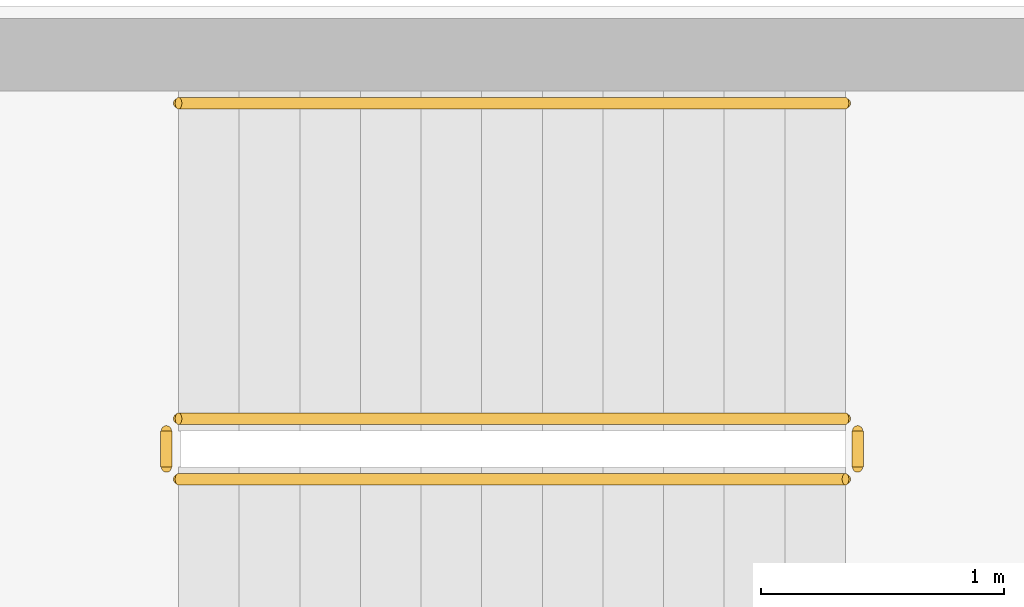
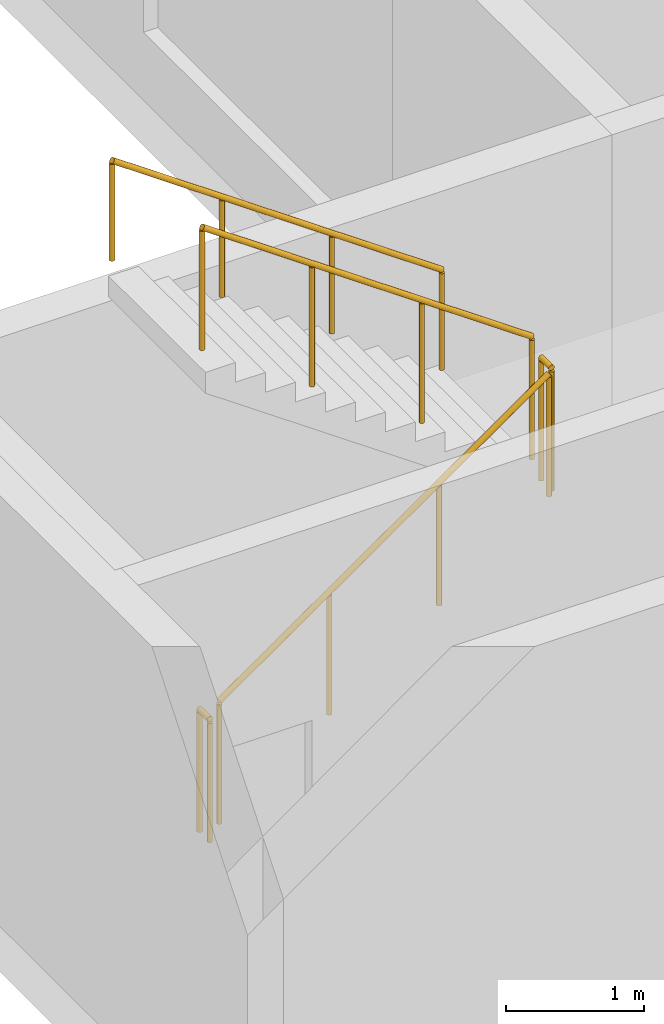
# One storey, part 13 of 14: 5 railings.
"""IFC4 building model written with IfcOpenShell, lengths in metres."""

import ifcopenshell
import ifcopenshell.guid

model = None  # the IFC model being written
_history = None  # IfcOwnerHistory: only IFC2X3 demands one
_inside = {}  # id of a spatial element -> (the spatial element, [elements in it])
_under = {}  # id of a project, library or spatial element -> (it, [spatial elements below it])
_declared = {}  # id of a project -> (the project, [libraries it declares])
_typed = {}  # id of a type object -> (the type object, [elements of that type])
_made_of = {}  # id of a material, layer set ... -> (it, [elements and type objects made of it])


def new_model(schema):
    """Start an empty IFC model of exactly this schema.

    Asked for "IFC4X3", IfcOpenShell would pick the latest addendum, in which some entities
    have other attributes; the version numbers below select the first issue.
    IFC2X3 requires an IfcOwnerHistory on every rooted entity: one is made here for all.
    """
    global model, _history
    if schema == "IFC4X3":
        model = ifcopenshell.file(schema_version=(4, 3, 0, 0))
    else:
        model = ifcopenshell.file(schema=schema)
    _inside.clear()
    _under.clear()
    _declared.clear()
    _typed.clear()
    _made_of.clear()
    _history = None
    if model.schema == "IFC2X3":
        org = make("IfcOrganization", Name="unknown")
        user = make(
            "IfcPersonAndOrganization",
            ThePerson=make("IfcPerson", FamilyName="unknown"),
            TheOrganization=org,
        )
        app = make(
            "IfcApplication",
            ApplicationDeveloper=org,
            Version="unknown",
            ApplicationFullName="unknown",
            ApplicationIdentifier="unknown",
        )
        _history = make(
            "IfcOwnerHistory",
            OwningUser=user,
            OwningApplication=app,
            ChangeAction="ADDED",
            CreationDate=0,
        )
    return model


def make(cls, **values):
    """One entity of the class cls with the attributes given. An attribute that is None is left unset."""
    return model.create_entity(
        cls, **{name: value for name, value in values.items() if value is not None}
    )


def rooted(cls, **values):
    """An entity with a GlobalId (a new one), such as an element, a storey or a relation."""
    return make(cls, GlobalId=ifcopenshell.guid.new(), OwnerHistory=_history, **values)


def si_unit(unit_type, name, prefix=None):
    """IfcSIUnit, for example si_unit("LENGTHUNIT", "METRE", prefix="MILLI")."""
    return make("IfcSIUnit", UnitType=unit_type, Prefix=prefix, Name=name)


def assignment(units):
    """IfcUnitAssignment: the units of a project."""
    return None if units is None else make("IfcUnitAssignment", Units=units)


def point(xyz):
    """IfcCartesianPoint."""
    return None if xyz is None else make("IfcCartesianPoint", Coordinates=xyz)


def direction(xyz):
    """IfcDirection."""
    return None if xyz is None else make("IfcDirection", DirectionRatios=xyz)


def frame(location, z_axis=None, x_axis=None):
    """IfcAxis2Placement3D, a coordinate frame: its origin and axes. An axis left out is left unset."""
    return make(
        "IfcAxis2Placement3D",
        Location=point(location),
        Axis=direction(z_axis),
        RefDirection=direction(x_axis),
    )


def frame_2d(location, x_axis=None):
    """IfcAxis2Placement2D, a coordinate frame in the plane: its origin and x axis."""
    return make(
        "IfcAxis2Placement2D", Location=point(location), RefDirection=direction(x_axis)
    )


def origin():
    """The frame at (0, 0, 0) with its axes left unset."""
    return frame((0.0, 0.0, 0.0))


def origin_2d():
    """The frame at (0, 0) in the plane with its x axis left unset."""
    return frame_2d((0.0, 0.0))


def place(relative_to, where):
    """IfcLocalPlacement: puts the frame where relative to a parent placement (None: the world)."""
    return make(
        "IfcLocalPlacement", PlacementRelTo=relative_to, RelativePlacement=where
    )


def context(
    kind, dimensions, precision=None, world=None, true_north=None, identifier=None
):
    """IfcGeometricRepresentationContext, for example the 3D "Model" context."""
    return make(
        "IfcGeometricRepresentationContext",
        ContextIdentifier=identifier,
        ContextType=kind,
        CoordinateSpaceDimension=dimensions,
        Precision=precision,
        WorldCoordinateSystem=world,
        TrueNorth=true_north,
    )


def subcontext(parent, identifier, kind, view, scale=None):
    """IfcGeometricRepresentationSubContext, for example "Body" below "Model"."""
    return make(
        "IfcGeometricRepresentationSubContext",
        ContextIdentifier=identifier,
        ContextType=kind,
        ParentContext=parent,
        TargetScale=scale,
        TargetView=view,
    )


def project(units=None, contexts=None):
    """IfcProject with its units and contexts."""
    return rooted(
        "IfcProject",
        Name="project",
        RepresentationContexts=contexts,
        UnitsInContext=assignment(units),
    )


def spatial(cls, under=None, at=None, **own):
    """A site, building, storey or space (cls), placed at a placement, below another one or the project."""
    s = rooted(cls, ObjectPlacement=at, **own)
    if under is not None:
        _under.setdefault(under.id(), (under, []))[1].append(s)
    return s


def profile(cls, at=None, kind="AREA", **sizes):
    """A parametric profile (cls). Its sizes go by their IFC names, for example OverallWidth=200.0."""
    return make(cls, ProfileType=kind, Position=at, **sizes)


def circle(**sizes):
    """IfcCircleProfileDef."""
    return profile("IfcCircleProfileDef", **sizes)


def extrude(swept, where, along, depth):
    """IfcExtrudedAreaSolid: the profile swept, set in the frame where, extruded along a direction by depth."""
    return make(
        "IfcExtrudedAreaSolid",
        SweptArea=swept,
        Position=where,
        ExtrudedDirection=direction(along),
        Depth=depth,
    )


def shape(context_of_items, identifier, shape_type, items):
    """IfcShapeRepresentation: the items that make up one representation, for example the "Body"."""
    return make(
        "IfcShapeRepresentation",
        ContextOfItems=context_of_items,
        RepresentationIdentifier=identifier,
        RepresentationType=shape_type,
        Items=items,
    )


def source(mapping_origin, context_of_items, identifier, shape_type, items):
    """IfcRepresentationMap: a shape defined once, which mapped items show again and again."""
    return make(
        "IfcRepresentationMap",
        MappingOrigin=mapping_origin,
        MappedRepresentation=shape(context_of_items, identifier, shape_type, items),
    )


def transform(
    local_origin,
    x_axis=None,
    y_axis=None,
    z_axis=None,
    scale=None,
    scale2=None,
    scale3=None,
    uniform=True,
):
    """IfcCartesianTransformationOperator3D, or its non-uniform kind. x_axis, y_axis, z_axis: its Axis1, 2, 3."""
    if uniform:
        return make(
            "IfcCartesianTransformationOperator3D",
            Axis1=direction(x_axis),
            Axis2=direction(y_axis),
            LocalOrigin=point(local_origin),
            Scale=scale,
            Axis3=direction(z_axis),
        )
    return make(
        "IfcCartesianTransformationOperator3DnonUniform",
        Axis1=direction(x_axis),
        Axis2=direction(y_axis),
        LocalOrigin=point(local_origin),
        Scale=scale,
        Axis3=direction(z_axis),
        Scale2=scale2,
        Scale3=scale3,
    )


def mapped(mapping_source, mapping_target):
    """IfcMappedItem: shows the shape of a source again, moved by a transform."""
    return make(
        "IfcMappedItem", MappingSource=mapping_source, MappingTarget=mapping_target
    )


def material(Name=None, Category=None):
    """IfcMaterial."""
    return make("IfcMaterial", Name=Name, Category=Category)


def made_of(thing, what):
    """Note that an element or type object is made of a material, layer set ...; save() writes the relation."""
    if what is not None:
        _made_of.setdefault(what.id(), (what, []))[1].append(thing)
    return thing


def type_object(cls, material=None, **own):
    """A type object (cls), such as IfcWallType, which elements share."""
    return made_of(rooted(cls, **own), material)


def element(
    cls,
    number,
    at=None,
    inside=None,
    cuts=None,
    type_object=None,
    material=None,
    context=None,
    identifier="Body",
    shape_type=None,
    held_by="IfcProductDefinitionShape",
    body=None,
    shapes=None,
    **own,
):
    """One element of the class cls, such as IfcWall. Its Tag is "e" and its number.

    at: its placement. inside: the storey or other place that contains it. cuts: it is an
    opening in that element (IfcRelVoidsElement). A single representation is given by context,
    identifier, shape_type and body (its items); several are given by shapes. held_by: the class
    of the entity that holds the representations. save() writes the other relations.
    """
    e = rooted(cls, Tag="e%d" % number, ObjectPlacement=at, **own)
    if body is not None:
        shapes = [shape(context, identifier, shape_type, body)]
    if shapes is not None:
        e.Representation = make(held_by, Representations=shapes)
    if inside is not None:
        _inside.setdefault(inside.id(), (inside, []))[1].append(e)
    if cuts is not None:
        rooted(
            "IfcRelVoidsElement", RelatingBuildingElement=cuts, RelatedOpeningElement=e
        )
    if type_object is not None:
        _typed.setdefault(type_object.id(), (type_object, []))[1].append(e)
    return made_of(e, material)


def aggregate(whole, parts):
    """IfcRelAggregates: a whole, such as a stair, and the parts it consists of."""
    return rooted("IfcRelAggregates", RelatingObject=whole, RelatedObjects=parts)


def save(model, path):
    """Write the relations noted so far, then the file.

    IfcRelAggregates (storeys below a building ...), IfcRelContainedInSpatialStructure (elements
    in a storey), IfcRelDefinesByType, IfcRelAssociatesMaterial and IfcRelDeclares: one each for
    every whole, place, type object, material and project.
    """
    for whole, parts in _under.values():
        aggregate(whole, parts)
    for where, things in _inside.values():
        rooted(
            "IfcRelContainedInSpatialStructure",
            RelatedElements=things,
            RelatingStructure=where,
        )
    for kind, things in _typed.values():
        rooted("IfcRelDefinesByType", RelatedObjects=things, RelatingType=kind)
    for what, things in _made_of.values():
        rooted("IfcRelAssociatesMaterial", RelatedObjects=things, RelatingMaterial=what)
    for by, libraries in _declared.values():
        rooted("IfcRelDeclares", RelatingContext=by, RelatedDefinitions=libraries)
    model.write(path)


model = new_model("IFC4")

# Units and contexts
model_context = context("Model", 3, precision=1e-05, world=origin(), true_north=direction((0.0, 1.0)))
body_context = subcontext(model_context, "Body", "Model", "MODEL_VIEW")
ifc_project = project(units=[si_unit("LENGTHUNIT", "METRE"), si_unit("AREAUNIT", "SQUARE_METRE"), si_unit("VOLUMEUNIT", "CUBIC_METRE"), si_unit("PLANEANGLEUNIT", "RADIAN"), si_unit("MASSUNIT", "GRAM", prefix="KILO")], contexts=[model_context])

# Site, building, storey
site_placement = place(None, origin())
site = spatial("IfcSite", under=ifc_project, at=site_placement, CompositionType="ELEMENT")
building_placement = place(site_placement, origin())
building = spatial("IfcBuilding", under=site, at=building_placement, Name="Aurelian Terraces", CompositionType="ELEMENT")
storey_placement = place(building_placement, frame((0.0, 0.0, 153.9)))
storey = spatial("IfcBuildingStorey", under=building, at=storey_placement, Name="L34", CompositionType="ELEMENT", Elevation=153.9)

# Railings
ifc_material = material(Name="Stainless steel", Category="steel")
railing_type_1 = type_object("IfcRailingType", Name="Stair guard 1100", PredefinedType="GUARDRAIL", material=ifc_material)
shared_shape_1 = source(origin(), body_context, "Body", "SweptSolid", [
    extrude(circle(Radius=0.024, at=origin_2d()), frame((0.0, 0.0, 1.076), z_axis=(0.0, 1.0, 0.0), x_axis=(-1.0, 0.0, 0.0)), (0.0, 0.0, 1.0), 0.15),
    extrude(circle(Radius=0.021, at=origin_2d()), origin(), (0.0, 0.0, 1.0), 1.052),
    extrude(circle(Radius=0.021, at=origin_2d()), frame((0.0, 0.15, 0.0)), (0.0, 0.0, 1.0), 1.052),
])
for number, where, name in (
    (1, (4.9, 42.05, 2.1), "L34 S3 stair guard 2"),
    (2, (2.05, 42.05, 0.0), "L34 S3 stair guard 4"),
):
    element("IfcRailing", number, at=place(storey_placement, frame(where)), inside=storey, type_object=railing_type_1, Name=name, PredefinedType="GUARDRAIL", context=body_context, shape_type="MappedRepresentation", body=[
        mapped(shared_shape_1, transform((0.0, 0.0, 0.0), scale=1.0)),
    ])
shared_shape_2 = source(origin(), body_context, "Body", "SweptSolid", [
    extrude(circle(Radius=0.024, at=origin_2d()), frame((0.0, 0.0, 1.076), z_axis=(0.819231920519, 0.0, 0.573462344363), x_axis=(0.0, 1.0, 0.0)), (0.0, 0.0, 1.0), 3.3568),
    extrude(circle(Radius=0.021, at=origin_2d()), origin(), (0.0, 0.0, 1.0), 1.052),
    extrude(circle(Radius=0.021, at=origin_2d()), frame((0.9167, 0.0, 0.6417)), (0.0, 0.0, 1.0), 1.052),
    extrude(circle(Radius=0.021, at=origin_2d()), frame((1.8333, 0.0, 1.2833)), (0.0, 0.0, 1.0), 1.052),
    extrude(circle(Radius=0.021, at=origin_2d()), frame((2.75, 0.0, 1.925)), (0.0, 0.0, 1.0), 1.052),
])
railing_1_placement = place(storey_placement, frame((2.1, 42.0, 0.175)))
element("IfcRailing", 3, at=railing_1_placement, inside=storey, type_object=railing_type_1, Name="L34 S3 stair guard 1", PredefinedType="GUARDRAIL", context=body_context, shape_type="MappedRepresentation", body=[
    mapped(shared_shape_2, transform((0.0, 0.0, 0.0), scale=1.0)),
])
shared_shape_3 = source(origin(), body_context, "Body", "SweptSolid", [
    extrude(circle(Radius=0.024, at=origin_2d()), frame((0.0, 0.0, 1.076), z_axis=(-0.819231920519, 0.0, 0.573462344363), x_axis=(0.0, -1.0, 0.0)), (0.0, 0.0, 1.0), 3.3568),
    extrude(circle(Radius=0.021, at=origin_2d()), origin(), (0.0, 0.0, 1.0), 1.052),
    extrude(circle(Radius=0.021, at=origin_2d()), frame((-0.9167, 0.0, 0.6417)), (0.0, 0.0, 1.0), 1.052),
    extrude(circle(Radius=0.021, at=origin_2d()), frame((-1.8333, 0.0, 1.2833)), (0.0, 0.0, 1.0), 1.052),
    extrude(circle(Radius=0.021, at=origin_2d()), frame((-2.75, 0.0, 1.925)), (0.0, 0.0, 1.0), 1.052),
])
railing_2_placement = place(storey_placement, frame((4.85, 42.25, 2.275)))
element("IfcRailing", 4, at=railing_2_placement, inside=storey, type_object=railing_type_1, Name="L34 S3 stair guard 3", PredefinedType="GUARDRAIL", context=body_context, shape_type="MappedRepresentation", body=[
    mapped(shared_shape_3, transform((0.0, 0.0, 0.0), scale=1.0)),
])
railing_type_2 = type_object("IfcRailingType", Name="Stair handrail", PredefinedType="HANDRAIL", material=ifc_material)
shared_shape_4 = source(origin(), body_context, "Body", "SweptSolid", [
    extrude(circle(Radius=0.024, at=origin_2d()), frame((0.0, 0.0, 0.876), z_axis=(-0.819231920519, 0.0, 0.573462344363), x_axis=(0.0, -1.0, 0.0)), (0.0, 0.0, 1.0), 3.3568),
    extrude(circle(Radius=0.021, at=origin_2d()), origin(), (0.0, 0.0, 1.0), 0.852),
    extrude(circle(Radius=0.021, at=origin_2d()), frame((-0.9167, 0.0, 0.6417)), (0.0, 0.0, 1.0), 0.852),
    extrude(circle(Radius=0.021, at=origin_2d()), frame((-1.8333, 0.0, 1.2833)), (0.0, 0.0, 1.0), 0.852),
    extrude(circle(Radius=0.021, at=origin_2d()), frame((-2.75, 0.0, 1.925)), (0.0, 0.0, 1.0), 0.852),
])
railing_3_placement = place(storey_placement, frame((4.85, 43.55, 2.275)))
element("IfcRailing", 5, at=railing_3_placement, inside=storey, type_object=railing_type_2, Name="L34 S3 stair handrail 2", PredefinedType="HANDRAIL", context=body_context, shape_type="MappedRepresentation", body=[
    mapped(shared_shape_4, transform((0.0, 0.0, 0.0), scale=1.0)),
])

save(model, "model.ifc")
